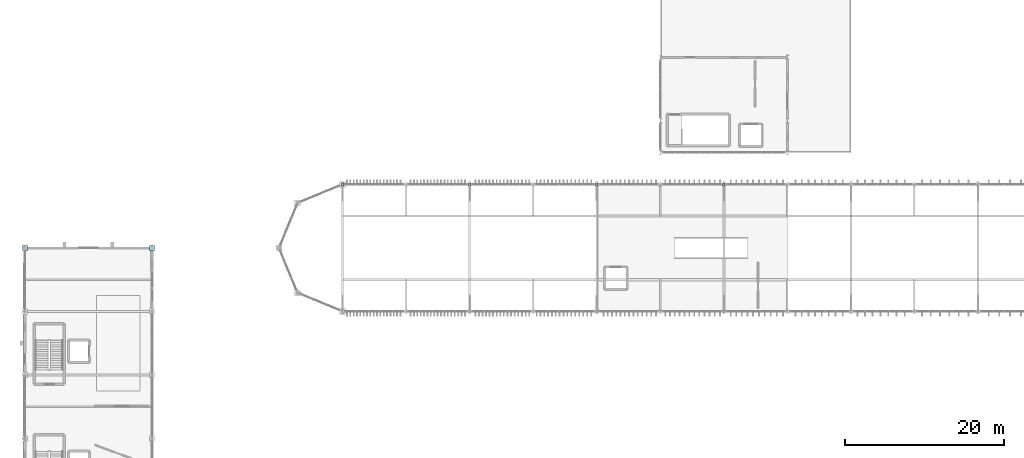
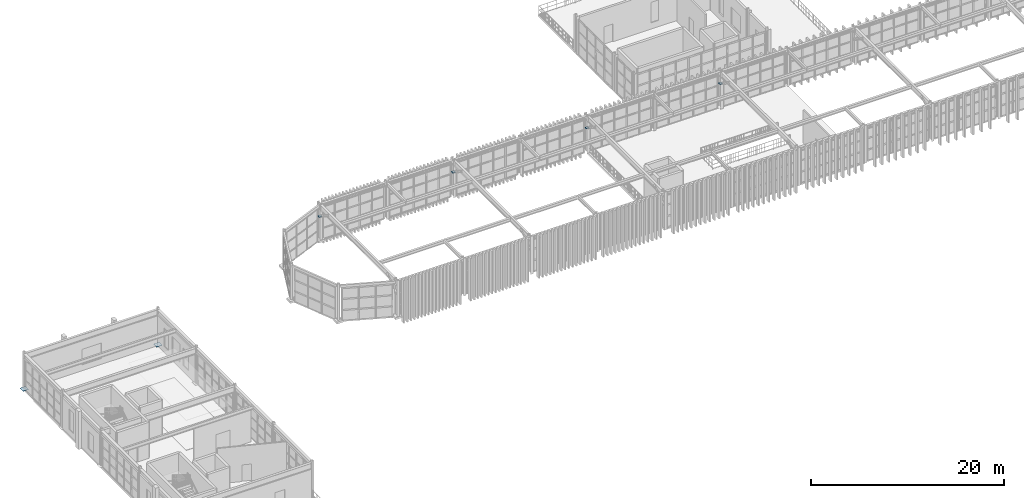
# One storey, part 47 of 61: 6 plates.
"""IFC4 building model written with IfcOpenShell, lengths in metres."""

from ifc_helpers import new_model, si_unit, direction, frame, origin, origin_2d, place, context, subcontext, project, spatial, rectangle, extrude, material, layer, layer_set, type_object, element, save


model = new_model("IFC4")

# Units and contexts
model_context = context("Model", 3, precision=1e-05, world=origin(), true_north=direction((0.0, 1.0)))
body_context = subcontext(model_context, "Body", "Model", "MODEL_VIEW")
ifc_project = project(units=[si_unit("LENGTHUNIT", "METRE"), si_unit("AREAUNIT", "SQUARE_METRE"), si_unit("VOLUMEUNIT", "CUBIC_METRE"), si_unit("PLANEANGLEUNIT", "RADIAN"), si_unit("MASSUNIT", "GRAM", prefix="KILO")], contexts=[model_context])

# Site, building, storey
site_placement = place(None, origin())
site = spatial("IfcSite", under=ifc_project, at=site_placement, CompositionType="ELEMENT")
building_placement = place(site_placement, origin())
building = spatial("IfcBuilding", under=site, at=building_placement, Name="Serraluz Foothill Cableway Terminal", CompositionType="ELEMENT")
storey_placement = place(building_placement, frame((0.0, 0.0, 15.0)))
storey = spatial("IfcBuildingStorey", under=building, at=storey_placement, Name="L03", CompositionType="ELEMENT", Elevation=15.0)

# Plates
ifc_material = material(Name="Steel ASTM A572 Grade 50", Category="steel")
ifc_layer_1 = layer(ifc_material, 0.050048828125, Name="Steel ASTM A572 Grade 50", Category="steel")
ifc_layer_set_1 = layer_set([ifc_layer_1], Name="Steel ASTM A572 Grade 50")
plate_type_1 = type_object("IfcPlateType", Name="TYP-PL-BAS-50", PredefinedType="USERDEFINED", material=ifc_layer_set_1)
for number, where, z_axis, x_axis, name in (
    (1, (0.0, 64.0, 0.0), (0.0, 0.0, 1.0), (1.0, 0.0, 0.0), "Column Base Plate BP-071"),
    (2, (16.0, 64.0, 0.0), (0.0, 0.0, 1.0), (1.0, 0.0, 0.0), "Column Base Plate BP-072"),
):
    element("IfcPlate", number, at=place(storey_placement, frame(where, z_axis=z_axis, x_axis=x_axis)), inside=storey, type_object=plate_type_1, Name=name, ObjectType="BASE_PLATE", PredefinedType="USERDEFINED", context=body_context, shape_type="SweptSolid", body=[
        extrude(rectangle(XDim=0.64990234375, YDim=0.64990234375, at=origin_2d()), origin(), (0.0, 0.0, 1.0), 0.050048828125),
    ])
ifc_layer_2 = layer(ifc_material, 0.02001953125, Name="Steel ASTM A572 Grade 50", Category="steel")
ifc_layer_set_2 = layer_set([ifc_layer_2], Name="Steel ASTM A572 Grade 50")
plate_type_2 = type_object("IfcPlateType", Name="TYP-PL-GUS-20", PredefinedType="USERDEFINED", material=ifc_layer_set_2)
plate_1_placement = place(storey_placement, frame((72.0, 72.0, 3.0400390625), z_axis=(0.0, 0.0, 1.0), x_axis=(1.0, 0.0, 0.0)))
element("IfcPlate", 3, at=plate_1_placement, inside=storey, type_object=plate_type_2, Name="Brace End Gusset Plate PL-END-0033", ObjectType="GUSSET_PLATE", PredefinedType="USERDEFINED", context=body_context, shape_type="SweptSolid", body=[
    extrude(rectangle(XDim=0.340087890625, YDim=0.340087890625, at=origin_2d()), origin(), (0.0, 0.0, 1.0), 0.02001953125),
])
ifc_layer_3 = layer(ifc_material, 0.02392578125, Name="Steel ASTM A572 Grade 50", Category="steel")
ifc_layer_set_3 = layer_set([ifc_layer_3], Name="Steel ASTM A572 Grade 50")
plate_type_3 = type_object("IfcPlateType", Name="TYP-PL-GUS-24", PredefinedType="USERDEFINED", material=ifc_layer_set_3)
plate_2_placement = place(storey_placement, frame((56.0, 72.0, 3.0380859375), z_axis=(0.0, 0.0, 1.0), x_axis=(1.0, 0.0, 0.0)))
element("IfcPlate", 4, at=plate_2_placement, inside=storey, type_object=plate_type_3, Name="Brace End Gusset Plate PL-END-0022", ObjectType="GUSSET_PLATE", PredefinedType="USERDEFINED", context=body_context, shape_type="SweptSolid", body=[
    extrude(rectangle(XDim=0.340087890625, YDim=0.340087890625, at=origin_2d()), origin(), (0.0, 0.0, 1.0), 0.02392578125),
])
ifc_layer_4 = layer(ifc_material, 0.030029296875, Name="Steel ASTM A572 Grade 50", Category="steel")
ifc_layer_set_4 = layer_set([ifc_layer_4], Name="Steel ASTM A572 Grade 50")
plate_type_4 = type_object("IfcPlateType", Name="TYP-PL-GUS-30", PredefinedType="USERDEFINED", material=ifc_layer_set_4)
for number, where, z_axis, x_axis, name in (
    (5, (40.0, 72.0, 3.03515625), (0.0, 0.0, 1.0), (1.0, 0.0, 0.0), "Brace End Gusset Plate PL-END-0011"),
    (6, (88.0, 72.0, 3.03515625), (0.0, 0.0, 1.0), (1.0, 0.0, 0.0), "Brace End Gusset Plate PL-END-0044"),
):
    element("IfcPlate", number, at=place(storey_placement, frame(where, z_axis=z_axis, x_axis=x_axis)), inside=storey, type_object=plate_type_4, Name=name, ObjectType="GUSSET_PLATE", PredefinedType="USERDEFINED", context=body_context, shape_type="SweptSolid", body=[
        extrude(rectangle(XDim=0.340087890625, YDim=0.340087890625, at=origin_2d()), origin(), (0.0, 0.0, 1.0), 0.030029296875),
    ])

save(model, "model.ifc")
